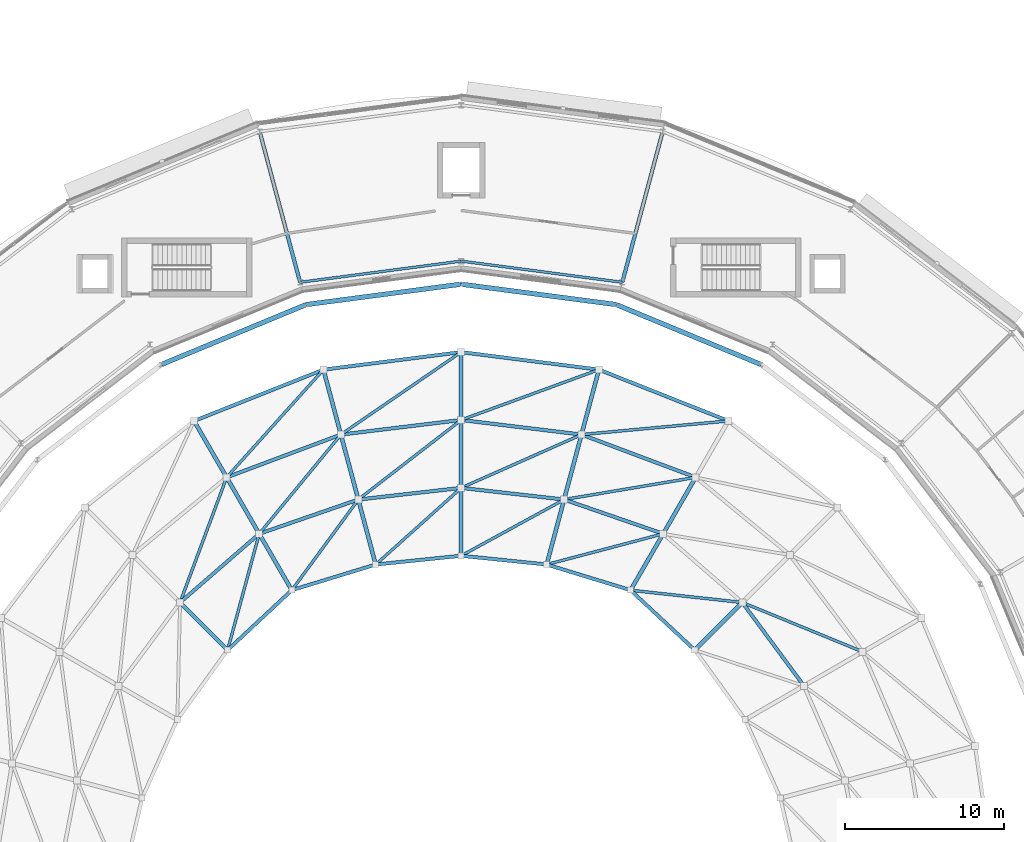
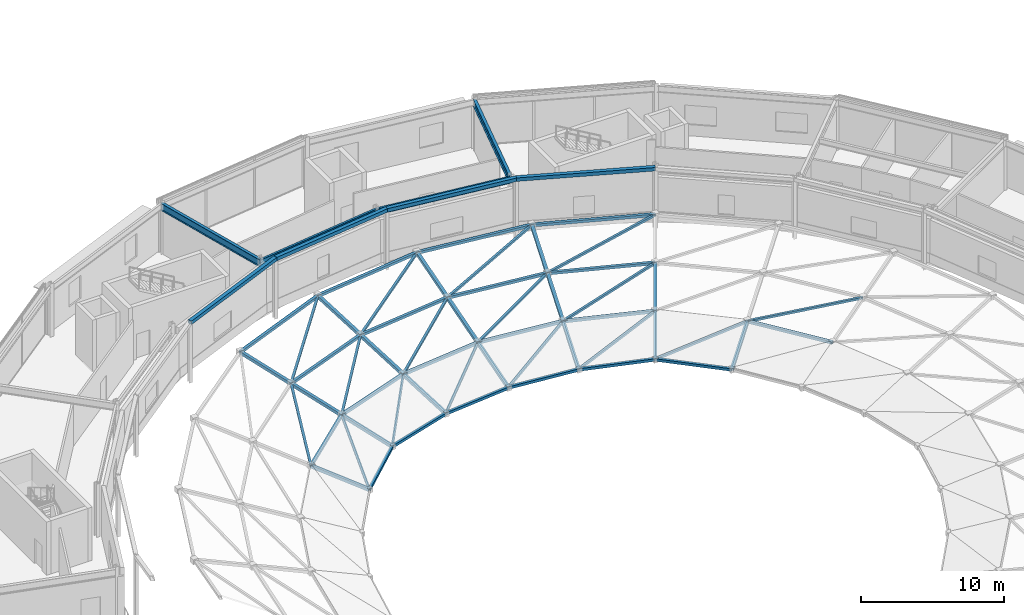
# One storey, part 38 of 89: 52 members, 8 beams.
"""IFC4 building model written with IfcOpenShell, lengths in metres."""

from ifc_helpers import new_model, si_unit, direction, frame, origin, origin_2d, place, context, subcontext, project, spatial, hollow_rectangle, i_section, extrude, material, material_profile, profile_set, type_object, element, save


model = new_model("IFC4")

# Units and contexts
model_context = context("Model", 3, precision=1e-05, world=origin(), true_north=direction((0.0, 1.0)))
body_context = subcontext(model_context, "Body", "Model", "MODEL_VIEW")
ifc_project = project(units=[si_unit("LENGTHUNIT", "METRE"), si_unit("AREAUNIT", "SQUARE_METRE"), si_unit("VOLUMEUNIT", "CUBIC_METRE"), si_unit("PLANEANGLEUNIT", "RADIAN"), si_unit("MASSUNIT", "GRAM", prefix="KILO")], contexts=[model_context])

# Site, building, storey
site_placement = place(None, origin())
site = spatial("IfcSite", under=ifc_project, at=site_placement, CompositionType="ELEMENT")
building_placement = place(site_placement, origin())
building = spatial("IfcBuilding", under=site, at=building_placement, Name="Almandine Court Research Institute", CompositionType="ELEMENT")
storey_placement = place(building_placement, frame((0.0, 0.0, 18.89990234375)))
storey = spatial("IfcBuildingStorey", under=building, at=storey_placement, Name="L04", CompositionType="ELEMENT", Elevation=18.89990234375)

# Beams
ifc_material_1 = material(Name="Steel ASTM A992 Grade 50", Category="steel")
ifc_material_profile_1 = material_profile(ifc_material_1, i_section(OverallWidth=0.22998046875, OverallDepth=0.616943359375, WebThickness=0.012939453125, FlangeThickness=0.02197265625, at=origin_2d()), Name="W610x140")
ifc_profile_set_1 = profile_set([ifc_material_profile_1], Name="Steel ASTM A992 Grade 50")
beam_type_1 = type_object("IfcBeamType", Name="Beam-G-02", PredefinedType="BEAM", material=ifc_profile_set_1)
for number, where, z_axis, x_axis, name in (
    (1, (97.1201171875, 93.76806640625, 4.0), (0.258774274024, 0.965937821551, 0.0), (-0.965937821551, 0.258774274024, 0.0), "L04 Drum Radial Girder 05"),
    (2, (76.8798828125, 93.76806640625, 4.0), (-0.258774274024, 0.965937821551, 0.0), (-0.965937821551, -0.258774274024, 0.0), "L04 Drum Radial Girder 07"),
):
    element("IfcBeam", number, at=place(storey_placement, frame(where, z_axis=z_axis, x_axis=x_axis)), inside=storey, type_object=beam_type_1, Name=name, PredefinedType="BEAM", context=body_context, shape_type="SweptSolid", body=[
        extrude(i_section(OverallWidth=0.22998046875, OverallDepth=0.616943359375, WebThickness=0.012939453125, FlangeThickness=0.02197265625, at=origin_2d()), origin(), (0.0, 0.0, 1.0), 9.799560546875),
    ])
ifc_material_profile_2 = material_profile(ifc_material_1, i_section(OverallWidth=0.166015625, OverallDepth=0.534912109375, WebThickness=0.010009765625, FlangeThickness=0.01708984375, at=origin_2d()), Name="W530x85")
ifc_profile_set_2 = profile_set([ifc_material_profile_2], Name="Steel ASTM A992 Grade 50")
beam_type_2 = type_object("IfcBeamType", Name="Beam-G-05-E", PredefinedType="SPANDREL", material=ifc_profile_set_2)
for number, where, z_axis, x_axis, name in (
    (3, (97.1201171875, 93.76806640625, 4.041015625), (-0.991448758831, 0.130496584681, 0.0), (-0.130496584681, -0.991448758831, 0.0), "L04 Drum IN Ring Beam 05"),
    (4, (87.0, 95.10009765625, 4.041015625), (-0.991448758831, -0.130496584681, 0.0), (0.130496584681, -0.991448758831, 0.0), "L04 Drum IN Ring Beam 06"),
):
    element("IfcBeam", number, at=place(storey_placement, frame(where, z_axis=z_axis, x_axis=x_axis)), inside=storey, type_object=beam_type_2, Name=name, PredefinedType="SPANDREL", context=body_context, shape_type="SweptSolid", body=[
        extrude(i_section(OverallWidth=0.166015625, OverallDepth=0.534912109375, WebThickness=0.010009765625, FlangeThickness=0.01708984375, at=origin_2d()), origin(), (0.0, 0.0, 1.0), 10.20751953125),
    ])
ifc_material_2 = material(Name="Steel ASTM A500 Grade C", Category="steel")
ifc_material_profile_3 = material_profile(ifc_material_2, hollow_rectangle(XDim=0.300048828125, YDim=0.300048828125, WallThickness=0.011962890625, at=origin_2d()), Name="HSS 300x300x12")
ifc_profile_set_3 = profile_set([ifc_material_profile_3], Name="Steel ASTM A500 Grade C")
beam_type_3 = type_object("IfcBeamType", Name="Beam-RB-01-E", PredefinedType="BEAM", material=ifc_profile_set_3)
beam_1_placement = place(storey_placement, frame((105.824951171875, 88.60595703125, 5.10009765625), z_axis=(-0.92387967829, 0.382683080424, 0.0), x_axis=(-0.382683080424, -0.92387967829, 0.0)))
element("IfcBeam", 5, at=beam_1_placement, inside=storey, type_object=beam_type_3, Name="Gridshell Outer Ring Beam ORB-05", PredefinedType="BEAM", context=body_context, shape_type="SweptSolid", body=[
    extrude(hollow_rectangle(XDim=0.300048828125, YDim=0.300048828125, WallThickness=0.011962890625, at=origin_2d()), origin(), (0.0, 0.0, 1.0), 9.827880859375),
])
for number, where, z_axis, x_axis, name in (
    (6, (96.7451171875, 92.366943359375, 5.10009765625), (-0.991444993461, 0.130525188913, 0.0), (-0.130525188913, -0.991444993461, 0.0), "Gridshell Outer Ring Beam ORB-06"),
    (7, (87.0, 93.64990234375, 5.10009765625), (-0.991444993461, -0.130525188913, 0.0), (0.130525188913, -0.991444993461, 0.0), "Gridshell Outer Ring Beam ORB-07"),
):
    element("IfcBeam", number, at=place(storey_placement, frame(where, z_axis=z_axis, x_axis=x_axis)), inside=storey, type_object=beam_type_3, Name=name, PredefinedType="BEAM", context=body_context, shape_type="SweptSolid", body=[
        extrude(hollow_rectangle(XDim=0.300048828125, YDim=0.300048828125, WallThickness=0.011962890625, at=origin_2d()), origin(), (0.0, 0.0, 1.0), 9.8291015625),
    ])
beam_2_placement = place(storey_placement, frame((77.2548828125, 92.366943359375, 5.10009765625), z_axis=(-0.92387967829, -0.382683080424, 0.0), x_axis=(0.382683080424, -0.92387967829, 0.0)))
element("IfcBeam", 8, at=beam_2_placement, inside=storey, type_object=beam_type_3, Name="Gridshell Outer Ring Beam ORB-08", PredefinedType="BEAM", context=body_context, shape_type="SweptSolid", body=[
    extrude(hollow_rectangle(XDim=0.300048828125, YDim=0.300048828125, WallThickness=0.011962890625, at=origin_2d()), origin(), (0.0, 0.0, 1.0), 9.827880859375),
])

# Members
ifc_material_profile_4 = material_profile(ifc_material_2, hollow_rectangle(XDim=0.25, YDim=0.25, WallThickness=0.010009765625, at=origin_2d()), Name="HSS 250x250x10")
ifc_profile_set_4 = profile_set([ifc_material_profile_4], Name="Steel ASTM A500 Grade C")
member_type_1 = type_object("IfcMemberType", Name="Mem-GS-AR1", PredefinedType="RAFTER", material=ifc_profile_set_4)
member_1_placement = place(storey_placement, frame((95.65087890625, 88.284912109375, 3.9931640625), z_axis=(-0.248122573964, -0.925822235368, -0.285111165665), x_axis=(0.965912978478, -0.258866989029, 0.0)))
element("IfcMember", 9, at=member_1_placement, inside=storey, type_object=member_type_1, Name="Atrium Conical Gridshell Radial Rib R1-S05", PredefinedType="RAFTER", context=body_context, shape_type="SweptSolid", body=[
    extrude(hollow_rectangle(XDim=0.25, YDim=0.25, WallThickness=0.010009765625, at=origin_2d()), origin(), (0.0, 0.0, 1.0), 4.4091796875),
])
member_2_placement = place(storey_placement, frame((87.0, 89.385009765625, 3.9931640625), z_axis=(0.0, -0.959200962269, -0.282725156261), x_axis=(1.0, 0.0, 0.0)))
element("IfcMember", 10, at=member_2_placement, inside=storey, type_object=member_type_1, Name="Atrium Conical Gridshell Radial Rib R1-S06", PredefinedType="RAFTER", context=body_context, shape_type="SweptSolid", body=[
    extrude(hollow_rectangle(XDim=0.25, YDim=0.25, WallThickness=0.010009765625, at=origin_2d()), origin(), (0.0, 0.0, 1.0), 4.4462890625),
])
member_3_placement = place(storey_placement, frame((78.34912109375, 88.284912109375, 3.9931640625), z_axis=(0.248122573964, -0.925822235368, -0.285111165665), x_axis=(0.965912978478, 0.258866989029, 0.0)))
element("IfcMember", 11, at=member_3_placement, inside=storey, type_object=member_type_1, Name="Atrium Conical Gridshell Radial Rib R1-S07", PredefinedType="RAFTER", context=body_context, shape_type="SweptSolid", body=[
    extrude(hollow_rectangle(XDim=0.25, YDim=0.25, WallThickness=0.010009765625, at=origin_2d()), origin(), (0.0, 0.0, 1.0), 4.4091796875),
])
member_4_placement = place(storey_placement, frame((70.220947265625, 85.06103515625, 3.9931640625), z_axis=(0.478141034543, -0.827751372383, -0.293613379471), x_axis=(0.865917322531, 0.500187155513, 0.0)))
element("IfcMember", 12, at=member_4_placement, inside=storey, type_object=member_type_1, Name="Atrium Conical Gridshell Radial Rib R1-S08", PredefinedType="RAFTER", context=body_context, shape_type="SweptSolid", body=[
    extrude(hollow_rectangle(XDim=0.25, YDim=0.25, WallThickness=0.010009765625, at=origin_2d()), origin(), (0.0, 0.0, 1.0), 4.281494140625),
])
member_5_placement = place(storey_placement, frame((101.73193359375, 81.51708984375, 2.736083984375), z_axis=(-0.477808253345, -0.827953895802, -0.293584092658), x_axis=(0.86612103393, -0.499834327136, 0.0)))
element("IfcMember", 13, at=member_5_placement, inside=storey, type_object=member_type_1, Name="Atrium Conical Gridshell Radial Rib R2-S04", PredefinedType="RAFTER", context=body_context, shape_type="SweptSolid", body=[
    extrude(hollow_rectangle(XDim=0.25, YDim=0.25, WallThickness=0.010009765625, at=origin_2d()), origin(), (0.0, 0.0, 1.0), 4.28173828125),
])
member_6_placement = place(storey_placement, frame((94.556884765625, 84.202880859375, 2.736083984375), z_axis=(-0.248186188634, -0.925782669721, -0.285184263619), x_axis=(0.965893613952, -0.258939233271, 0.0)))
element("IfcMember", 14, at=member_6_placement, inside=storey, type_object=member_type_1, Name="Atrium Conical Gridshell Radial Rib R2-S05", PredefinedType="RAFTER", context=body_context, shape_type="SweptSolid", body=[
    extrude(hollow_rectangle(XDim=0.25, YDim=0.25, WallThickness=0.010009765625, at=origin_2d()), origin(), (0.0, 0.0, 1.0), 4.407958984375),
])
member_7_placement = place(storey_placement, frame((87.0, 85.1201171875, 2.736083984375), z_axis=(0.0, -0.959205350971, -0.282710266294), x_axis=(1.0, 0.0, 0.0)))
element("IfcMember", 15, at=member_7_placement, inside=storey, type_object=member_type_1, Name="Atrium Conical Gridshell Radial Rib R2-S06", PredefinedType="RAFTER", context=body_context, shape_type="SweptSolid", body=[
    extrude(hollow_rectangle(XDim=0.25, YDim=0.25, WallThickness=0.010009765625, at=origin_2d()), origin(), (0.0, 0.0, 1.0), 4.446533203125),
])
member_8_placement = place(storey_placement, frame((79.443115234375, 84.202880859375, 2.736083984375), z_axis=(0.248186188634, -0.925782669721, -0.285184263619), x_axis=(0.965893613952, 0.258939233271, 0.0)))
element("IfcMember", 16, at=member_8_placement, inside=storey, type_object=member_type_1, Name="Atrium Conical Gridshell Radial Rib R2-S07", PredefinedType="RAFTER", context=body_context, shape_type="SweptSolid", body=[
    extrude(hollow_rectangle(XDim=0.25, YDim=0.25, WallThickness=0.010009765625, at=origin_2d()), origin(), (0.0, 0.0, 1.0), 4.407958984375),
])
member_9_placement = place(storey_placement, frame((72.26806640625, 81.51708984375, 2.736083984375), z_axis=(0.477808253345, -0.827953895802, -0.293584092658), x_axis=(0.86612103393, 0.499834327136, 0.0)))
element("IfcMember", 17, at=member_9_placement, inside=storey, type_object=member_type_1, Name="Atrium Conical Gridshell Radial Rib R2-S08", PredefinedType="RAFTER", context=body_context, shape_type="SweptSolid", body=[
    extrude(hollow_rectangle(XDim=0.25, YDim=0.25, WallThickness=0.010009765625, at=origin_2d()), origin(), (0.0, 0.0, 1.0), 4.28173828125),
])
member_10_placement = place(storey_placement, frame((104.657958984375, 73.657958984375, 1.47900390625), z_axis=(-0.677721081181, -0.677721081181, -0.285286298737), x_axis=(0.707106781187, -0.707106781187, 0.0)))
element("IfcMember", 18, at=member_10_placement, inside=storey, type_object=member_type_1, Name="Atrium Conical Gridshell Radial Rib R3-S03", PredefinedType="RAFTER", context=body_context, shape_type="SweptSolid", body=[
    extrude(hollow_rectangle(XDim=0.25, YDim=0.25, WallThickness=0.010009765625, at=origin_2d()), origin(), (0.0, 0.0, 1.0), 4.408935546875),
])
member_11_placement = place(storey_placement, frame((99.68603515625, 77.971923828125, 1.47900390625), z_axis=(-0.478117013059, -0.827709786711, -0.293769690075), x_axis=(0.865917322531, -0.500187155513, 0.0)))
element("IfcMember", 19, at=member_11_placement, inside=storey, type_object=member_type_1, Name="Atrium Conical Gridshell Radial Rib R3-S04", PredefinedType="RAFTER", context=body_context, shape_type="SweptSolid", body=[
    extrude(hollow_rectangle(XDim=0.25, YDim=0.25, WallThickness=0.010009765625, at=origin_2d()), origin(), (0.0, 0.0, 1.0), 4.28173828125),
])
member_12_placement = place(storey_placement, frame((93.462890625, 80.1220703125, 1.47900390625), z_axis=(-0.247850987975, -0.925841938996, -0.285283353451), x_axis=(0.965985171085, -0.258597465656, 0.0)))
element("IfcMember", 20, at=member_12_placement, inside=storey, type_object=member_type_1, Name="Atrium Conical Gridshell Radial Rib R3-S05", PredefinedType="RAFTER", context=body_context, shape_type="SweptSolid", body=[
    extrude(hollow_rectangle(XDim=0.25, YDim=0.25, WallThickness=0.010009765625, at=origin_2d()), origin(), (0.0, 0.0, 1.0), 4.408935546875),
])
member_13_placement = place(storey_placement, frame((87.0, 80.85498046875, 1.47900390625), z_axis=(0.0, -0.959156280225, -0.282876704775), x_axis=(1.0, 0.0, 0.0)))
element("IfcMember", 21, at=member_13_placement, inside=storey, type_object=member_type_1, Name="Atrium Conical Gridshell Radial Rib R3-S06", PredefinedType="RAFTER", context=body_context, shape_type="SweptSolid", body=[
    extrude(hollow_rectangle(XDim=0.25, YDim=0.25, WallThickness=0.010009765625, at=origin_2d()), origin(), (0.0, 0.0, 1.0), 4.446533203125),
])
member_14_placement = place(storey_placement, frame((80.537109375, 80.1220703125, 1.47900390625), z_axis=(0.247850987975, -0.925841938996, -0.285283353451), x_axis=(0.965985171085, 0.258597465656, 0.0)))
element("IfcMember", 22, at=member_14_placement, inside=storey, type_object=member_type_1, Name="Atrium Conical Gridshell Radial Rib R3-S07", PredefinedType="RAFTER", context=body_context, shape_type="SweptSolid", body=[
    extrude(hollow_rectangle(XDim=0.25, YDim=0.25, WallThickness=0.010009765625, at=origin_2d()), origin(), (0.0, 0.0, 1.0), 4.408935546875),
])
member_15_placement = place(storey_placement, frame((74.31396484375, 77.971923828125, 1.47900390625), z_axis=(0.478117013059, -0.827709786711, -0.293769690075), x_axis=(0.865917322531, 0.500187155513, 0.0)))
element("IfcMember", 23, at=member_15_placement, inside=storey, type_object=member_type_1, Name="Atrium Conical Gridshell Radial Rib R3-S08", PredefinedType="RAFTER", context=body_context, shape_type="SweptSolid", body=[
    extrude(hollow_rectangle(XDim=0.25, YDim=0.25, WallThickness=0.010009765625, at=origin_2d()), origin(), (0.0, 0.0, 1.0), 4.28173828125),
])
member_16_placement = place(storey_placement, frame((69.342041015625, 73.657958984375, 1.47900390625), z_axis=(0.677721081181, -0.677721081181, -0.285286298737), x_axis=(0.707106781187, 0.707106781187, 0.0)))
element("IfcMember", 24, at=member_16_placement, inside=storey, type_object=member_type_1, Name="Atrium Conical Gridshell Radial Rib R3-S09", PredefinedType="RAFTER", context=body_context, shape_type="SweptSolid", body=[
    extrude(hollow_rectangle(XDim=0.25, YDim=0.25, WallThickness=0.010009765625, at=origin_2d()), origin(), (0.0, 0.0, 1.0), 4.408935546875),
])
ifc_material_profile_5 = material_profile(ifc_material_2, hollow_rectangle(XDim=0.179931640625, YDim=0.179931640625, WallThickness=0.008056640625, at=origin_2d()), Name="HSS 180x180x8")
ifc_profile_set_5 = profile_set([ifc_material_profile_5], Name="Steel ASTM A500 Grade C")
member_type_2 = type_object("IfcMemberType", Name="Mem-GS-BR1", PredefinedType="BRACE", material=ifc_profile_set_5)
member_17_placement = place(storey_placement, frame((103.779052734375, 85.06103515625, 3.9931640625), z_axis=(-0.986652306257, -0.091811374398, -0.13449125655), x_axis=(0.092653148604, -0.995698445341, 0.0)))
element("IfcMember", 25, at=member_17_placement, inside=storey, type_object=member_type_2, Name="Atrium Conical Gridshell Diagonal Brace R1-S04", PredefinedType="BRACE", context=body_context, shape_type="SweptSolid", body=[
    extrude(hollow_rectangle(XDim=0.179931640625, YDim=0.179931640625, WallThickness=0.008056640625, at=origin_2d()), origin(), (0.0, 0.0, 1.0), 9.346923828125),
])
member_18_placement = place(storey_placement, frame((95.65087890625, 88.284912109375, 3.9931640625), z_axis=(-0.930503949318, -0.340410980838, -0.135213773072), x_axis=(0.343566137995, -0.939128483661, 0.0)))
element("IfcMember", 26, at=member_18_placement, inside=storey, type_object=member_type_2, Name="Atrium Conical Gridshell Diagonal Brace R1-S05", PredefinedType="BRACE", context=body_context, shape_type="SweptSolid", body=[
    extrude(hollow_rectangle(XDim=0.179931640625, YDim=0.179931640625, WallThickness=0.008056640625, at=origin_2d()), origin(), (0.0, 0.0, 1.0), 9.296875),
])
member_19_placement = place(storey_placement, frame((87.0, 89.385009765625, 3.9931640625), z_axis=(-0.817062137148, -0.560299839211, -0.135917453694), x_axis=(0.565548031502, -0.824715359421, 0.0)))
element("IfcMember", 27, at=member_19_placement, inside=storey, type_object=member_type_2, Name="Atrium Conical Gridshell Diagonal Brace R1-S06", PredefinedType="BRACE", context=body_context, shape_type="SweptSolid", body=[
    extrude(hollow_rectangle(XDim=0.179931640625, YDim=0.179931640625, WallThickness=0.008056640625, at=origin_2d()), origin(), (0.0, 0.0, 1.0), 9.248779296875),
])
member_20_placement = place(storey_placement, frame((78.34912109375, 88.284912109375, 3.9931640625), z_axis=(-0.662068876905, -0.736840024758, -0.136863363063), x_axis=(0.743839603579, -0.668358170555, 0.0)))
element("IfcMember", 28, at=member_20_placement, inside=storey, type_object=member_type_2, Name="Atrium Conical Gridshell Diagonal Brace R1-S07", PredefinedType="BRACE", context=body_context, shape_type="SweptSolid", body=[
    extrude(hollow_rectangle(XDim=0.179931640625, YDim=0.179931640625, WallThickness=0.008056640625, at=origin_2d()), origin(), (0.0, 0.0, 1.0), 9.184814453125),
])
member_21_placement = place(storey_placement, frame((112.218017578125, 70.56005859375, 2.736083984375), z_axis=(-0.914563732767, 0.374762617228, -0.152072875412), x_axis=(-0.379172667023, -0.925325936404, 0.0)))
element("IfcMember", 29, at=member_21_placement, inside=storey, type_object=member_type_2, Name="Atrium Conical Gridshell Diagonal Brace R2-S02", PredefinedType="BRACE", context=body_context, shape_type="SweptSolid", body=[
    extrude(hollow_rectangle(XDim=0.179931640625, YDim=0.179931640625, WallThickness=0.008056640625, at=origin_2d()), origin(), (0.0, 0.0, 1.0), 8.266357421875),
])
member_22_placement = place(storey_placement, frame((101.73193359375, 81.51708984375, 2.736083984375), z_axis=(-0.975170446211, -0.164515025971, -0.148247789417), x_axis=(0.166353187444, -0.98606623359, 0.0)))
element("IfcMember", 30, at=member_22_placement, inside=storey, type_object=member_type_2, Name="Atrium Conical Gridshell Diagonal Brace R2-S04", PredefinedType="BRACE", context=body_context, shape_type="SweptSolid", body=[
    extrude(hollow_rectangle(XDim=0.179931640625, YDim=0.179931640625, WallThickness=0.008056640625, at=origin_2d()), origin(), (0.0, 0.0, 1.0), 8.4794921875),
])
member_23_placement = place(storey_placement, frame((94.556884765625, 84.202880859375, 2.736083984375), z_axis=(-0.903897406332, -0.400450526057, -0.150362412212), x_axis=(0.405055625831, -0.914292043049, 0.0)))
element("IfcMember", 31, at=member_23_placement, inside=storey, type_object=member_type_2, Name="Atrium Conical Gridshell Diagonal Brace R2-S05", PredefinedType="BRACE", context=body_context, shape_type="SweptSolid", body=[
    extrude(hollow_rectangle(XDim=0.179931640625, YDim=0.179931640625, WallThickness=0.008056640625, at=origin_2d()), origin(), (0.0, 0.0, 1.0), 8.3603515625),
])
member_24_placement = place(storey_placement, frame((87.0, 85.1201171875, 2.736083984375), z_axis=(-0.781847620468, -0.60463827766, -0.152075151019), x_axis=(0.611753624834, -0.791048356614, 0.0)))
element("IfcMember", 32, at=member_24_placement, inside=storey, type_object=member_type_2, Name="Atrium Conical Gridshell Diagonal Brace R2-S06", PredefinedType="BRACE", context=body_context, shape_type="SweptSolid", body=[
    extrude(hollow_rectangle(XDim=0.179931640625, YDim=0.179931640625, WallThickness=0.008056640625, at=origin_2d()), origin(), (0.0, 0.0, 1.0), 8.26611328125),
])
member_25_placement = place(storey_placement, frame((79.443115234375, 84.202880859375, 2.736083984375), z_axis=(-0.627970659521, -0.762866731987, -0.153906465128), x_axis=(0.772065567876, -0.635542885178, 0.0)))
element("IfcMember", 33, at=member_25_placement, inside=storey, type_object=member_type_2, Name="Atrium Conical Gridshell Diagonal Brace R2-S07", PredefinedType="BRACE", context=body_context, shape_type="SweptSolid", body=[
    extrude(hollow_rectangle(XDim=0.179931640625, YDim=0.179931640625, WallThickness=0.008056640625, at=origin_2d()), origin(), (0.0, 0.0, 1.0), 8.167724609375),
])
member_26_placement = place(storey_placement, frame((72.26806640625, 81.51708984375, 2.736083984375), z_axis=(-0.345056371344, -0.926800972043, -0.148243242057), x_axis=(0.937155671014, -0.348911519279, 0.0)))
element("IfcMember", 34, at=member_26_placement, inside=storey, type_object=member_type_2, Name="Atrium Conical Gridshell Diagonal Brace R2-S08", PredefinedType="BRACE", context=body_context, shape_type="SweptSolid", body=[
    extrude(hollow_rectangle(XDim=0.179931640625, YDim=0.179931640625, WallThickness=0.008056640625, at=origin_2d()), origin(), (0.0, 0.0, 1.0), 8.479736328125),
])
member_27_placement = place(storey_placement, frame((104.657958984375, 73.657958984375, 1.47900390625), z_axis=(-0.978631149869, 0.107360092059, -0.175370702056), x_axis=(-0.109050099051, -0.99403625482, 0.0)))
element("IfcMember", 35, at=member_27_placement, inside=storey, type_object=member_type_2, Name="Atrium Conical Gridshell Diagonal Brace R3-S03", PredefinedType="BRACE", context=body_context, shape_type="SweptSolid", body=[
    extrude(hollow_rectangle(XDim=0.179931640625, YDim=0.179931640625, WallThickness=0.008056640625, at=origin_2d()), origin(), (0.0, 0.0, 1.0), 7.17236328125),
])
member_28_placement = place(storey_placement, frame((99.68603515625, 77.971923828125, 1.47900390625), z_axis=(-0.95377039361, -0.251858276868, -0.163980012944), x_axis=(0.255314297639, -0.966858112352, 0.0)))
element("IfcMember", 36, at=member_28_placement, inside=storey, type_object=member_type_2, Name="Atrium Conical Gridshell Diagonal Brace R3-S04", PredefinedType="BRACE", context=body_context, shape_type="SweptSolid", body=[
    extrude(hollow_rectangle(XDim=0.179931640625, YDim=0.179931640625, WallThickness=0.008056640625, at=origin_2d()), origin(), (0.0, 0.0, 1.0), 7.67041015625),
])
member_29_placement = place(storey_placement, frame((93.462890625, 80.1220703125, 1.47900390625), z_axis=(-0.864985356707, -0.472716196566, -0.16834408272), x_axis=(0.479560340704, -0.877508905724, 0.0)))
element("IfcMember", 37, at=member_29_placement, inside=storey, type_object=member_type_2, Name="Atrium Conical Gridshell Diagonal Brace R3-S05", PredefinedType="BRACE", context=body_context, shape_type="SweptSolid", body=[
    extrude(hollow_rectangle(XDim=0.179931640625, YDim=0.179931640625, WallThickness=0.008056640625, at=origin_2d()), origin(), (0.0, 0.0, 1.0), 7.4716796875),
])
member_30_placement = place(storey_placement, frame((87.0, 80.85498046875, 1.47900390625), z_axis=(-0.7334753478, -0.657646881675, -0.171797826508), x_axis=(0.667572192775, -0.744545074145, 0.0)))
element("IfcMember", 38, at=member_30_placement, inside=storey, type_object=member_type_2, Name="Atrium Conical Gridshell Diagonal Brace R3-S06", PredefinedType="BRACE", context=body_context, shape_type="SweptSolid", body=[
    extrude(hollow_rectangle(XDim=0.179931640625, YDim=0.179931640625, WallThickness=0.008056640625, at=origin_2d()), origin(), (0.0, 0.0, 1.0), 7.321533203125),
])
member_31_placement = place(storey_placement, frame((80.537109375, 80.1220703125, 1.47900390625), z_axis=(-0.582231807343, -0.793884387178, -0.175367335366), x_axis=(0.806380813024, -0.591396638802, 0.0)))
element("IfcMember", 39, at=member_31_placement, inside=storey, type_object=member_type_2, Name="Atrium Conical Gridshell Diagonal Brace R3-S07", PredefinedType="BRACE", context=body_context, shape_type="SweptSolid", body=[
    extrude(hollow_rectangle(XDim=0.179931640625, YDim=0.179931640625, WallThickness=0.008056640625, at=origin_2d()), origin(), (0.0, 0.0, 1.0), 7.17236328125),
])
member_32_placement = place(storey_placement, frame((74.31396484375, 77.971923828125, 1.47900390625), z_axis=(-0.258637280431, -0.951954518879, -0.163979727883), x_axis=(0.965017273677, -0.262186310672, 0.0)))
element("IfcMember", 40, at=member_32_placement, inside=storey, type_object=member_type_2, Name="Atrium Conical Gridshell Diagonal Brace R3-S08", PredefinedType="BRACE", context=body_context, shape_type="SweptSolid", body=[
    extrude(hollow_rectangle(XDim=0.179931640625, YDim=0.179931640625, WallThickness=0.008056640625, at=origin_2d()), origin(), (0.0, 0.0, 1.0), 7.670654296875),
])
ifc_material_profile_6 = material_profile(ifc_material_2, hollow_rectangle(XDim=0.219970703125, YDim=0.219970703125, WallThickness=0.010009765625, at=origin_2d()), Name="HSS 220x220x10")
ifc_profile_set_6 = profile_set([ifc_material_profile_6], Name="Steel ASTM A500 Grade C")
member_type_3 = type_object("IfcMemberType", Name="Mem-GS-ST1", PredefinedType="COLLAR", material=ifc_profile_set_6)
member_33_placement = place(storey_placement, frame((103.779052734375, 85.06103515625, 3.9931640625), z_axis=(-0.929552993043, 0.368688531317, 0.0), x_axis=(-0.368688531317, -0.929552993043, 0.0)))
element("IfcMember", 41, at=member_33_placement, inside=storey, type_object=member_type_3, Name="Atrium Conical Gridshell Hoop Ring R1-S04", PredefinedType="COLLAR", context=body_context, shape_type="SweptSolid", body=[
    extrude(hollow_rectangle(XDim=0.219970703125, YDim=0.219970703125, WallThickness=0.010009765625, at=origin_2d()), origin(), (0.0, 0.0, 1.0), 8.744140625),
])
for number, where, z_axis, x_axis, name in (
    (42, (95.65087890625, 88.284912109375, 3.9931640625), (-0.992011166569, 0.126150090776, 0.0), (-0.126150090776, -0.992011166569, 0.0), "Atrium Conical Gridshell Hoop Ring R1-S05"),
    (43, (87.0, 89.385009765625, 3.9931640625), (-0.992011166569, -0.126150090776, 0.0), (0.126150090776, -0.992011166569, 0.0), "Atrium Conical Gridshell Hoop Ring R1-S06"),
):
    element("IfcMember", number, at=place(storey_placement, frame(where, z_axis=z_axis, x_axis=x_axis)), inside=storey, type_object=member_type_3, Name=name, PredefinedType="COLLAR", context=body_context, shape_type="SweptSolid", body=[
        extrude(hollow_rectangle(XDim=0.219970703125, YDim=0.219970703125, WallThickness=0.010009765625, at=origin_2d()), origin(), (0.0, 0.0, 1.0), 8.720458984375),
    ])
member_34_placement = place(storey_placement, frame((78.34912109375, 88.284912109375, 3.9931640625), z_axis=(-0.929552993043, -0.368688531317, 0.0), x_axis=(0.368688531317, -0.929552993043, 0.0)))
element("IfcMember", 44, at=member_34_placement, inside=storey, type_object=member_type_3, Name="Atrium Conical Gridshell Hoop Ring R1-S07", PredefinedType="COLLAR", context=body_context, shape_type="SweptSolid", body=[
    extrude(hollow_rectangle(XDim=0.219970703125, YDim=0.219970703125, WallThickness=0.010009765625, at=origin_2d()), origin(), (0.0, 0.0, 1.0), 8.744140625),
])
member_35_placement = place(storey_placement, frame((101.73193359375, 81.51708984375, 2.736083984375), z_axis=(-0.936537239309, 0.350568109484, 0.0), x_axis=(-0.350568109484, -0.936537239309, 0.0)))
element("IfcMember", 45, at=member_35_placement, inside=storey, type_object=member_type_3, Name="Atrium Conical Gridshell Hoop Ring R2-S04", PredefinedType="COLLAR", context=body_context, shape_type="SweptSolid", body=[
    extrude(hollow_rectangle(XDim=0.219970703125, YDim=0.219970703125, WallThickness=0.010009765625, at=origin_2d()), origin(), (0.0, 0.0, 1.0), 7.6611328125),
])
for number, where, z_axis, x_axis, name in (
    (46, (94.556884765625, 84.202880859375, 2.736083984375), (-0.992714148527, 0.120493233483, 0.0), (-0.120493233483, -0.992714148527, 0.0), "Atrium Conical Gridshell Hoop Ring R2-S05"),
    (47, (87.0, 85.1201171875, 2.736083984375), (-0.992714148527, -0.120493233483, 0.0), (0.120493233483, -0.992714148527, 0.0), "Atrium Conical Gridshell Hoop Ring R2-S06"),
):
    element("IfcMember", number, at=place(storey_placement, frame(where, z_axis=z_axis, x_axis=x_axis)), inside=storey, type_object=member_type_3, Name=name, PredefinedType="COLLAR", context=body_context, shape_type="SweptSolid", body=[
        extrude(hollow_rectangle(XDim=0.219970703125, YDim=0.219970703125, WallThickness=0.010009765625, at=origin_2d()), origin(), (0.0, 0.0, 1.0), 7.6123046875),
    ])
member_36_placement = place(storey_placement, frame((79.443115234375, 84.202880859375, 2.736083984375), z_axis=(-0.936537239309, -0.350568109484, 0.0), x_axis=(0.350568109484, -0.936537239309, 0.0)))
element("IfcMember", 48, at=member_36_placement, inside=storey, type_object=member_type_3, Name="Atrium Conical Gridshell Hoop Ring R2-S07", PredefinedType="COLLAR", context=body_context, shape_type="SweptSolid", body=[
    extrude(hollow_rectangle(XDim=0.219970703125, YDim=0.219970703125, WallThickness=0.010009765625, at=origin_2d()), origin(), (0.0, 0.0, 1.0), 7.6611328125),
])
member_37_placement = place(storey_placement, frame((108.52490234375, 68.427001953125, 1.47900390625), z_axis=(-0.594449099099, 0.804133240564, 0.0), x_axis=(-0.804133240564, -0.594449099099, 0.0)))
element("IfcMember", 49, at=member_37_placement, inside=storey, type_object=member_type_3, Name="Atrium Conical Gridshell Hoop Ring R3-S02", PredefinedType="COLLAR", context=body_context, shape_type="SweptSolid", body=[
    extrude(hollow_rectangle(XDim=0.219970703125, YDim=0.219970703125, WallThickness=0.010009765625, at=origin_2d()), origin(), (0.0, 0.0, 1.0), 6.505126953125),
])
member_38_placement = place(storey_placement, frame((99.68603515625, 77.971923828125, 1.47900390625), z_axis=(-0.945174599161, 0.326565425453, 0.0), x_axis=(-0.326565425453, -0.945174599161, 0.0)))
element("IfcMember", 50, at=member_38_placement, inside=storey, type_object=member_type_3, Name="Atrium Conical Gridshell Hoop Ring R3-S04", PredefinedType="COLLAR", context=body_context, shape_type="SweptSolid", body=[
    extrude(hollow_rectangle(XDim=0.219970703125, YDim=0.219970703125, WallThickness=0.010009765625, at=origin_2d()), origin(), (0.0, 0.0, 1.0), 6.584228515625),
])
for number, where, z_axis, x_axis, name in (
    (51, (93.462890625, 80.1220703125, 1.47900390625), (-0.993631259919, 0.11268060752, 0.0), (-0.11268060752, -0.993631259919, 0.0), "Atrium Conical Gridshell Hoop Ring R3-S05"),
    (52, (87.0, 80.85498046875, 1.47900390625), (-0.993631259919, -0.11268060752, 0.0), (0.11268060752, -0.993631259919, 0.0), "Atrium Conical Gridshell Hoop Ring R3-S06"),
):
    element("IfcMember", number, at=place(storey_placement, frame(where, z_axis=z_axis, x_axis=x_axis)), inside=storey, type_object=member_type_3, Name=name, PredefinedType="COLLAR", context=body_context, shape_type="SweptSolid", body=[
        extrude(hollow_rectangle(XDim=0.219970703125, YDim=0.219970703125, WallThickness=0.010009765625, at=origin_2d()), origin(), (0.0, 0.0, 1.0), 6.50439453125),
    ])
member_39_placement = place(storey_placement, frame((80.537109375, 80.1220703125, 1.47900390625), z_axis=(-0.945174599161, -0.326565425453, 0.0), x_axis=(0.326565425453, -0.945174599161, 0.0)))
element("IfcMember", 53, at=member_39_placement, inside=storey, type_object=member_type_3, Name="Atrium Conical Gridshell Hoop Ring R3-S07", PredefinedType="COLLAR", context=body_context, shape_type="SweptSolid", body=[
    extrude(hollow_rectangle(XDim=0.219970703125, YDim=0.219970703125, WallThickness=0.010009765625, at=origin_2d()), origin(), (0.0, 0.0, 1.0), 6.584228515625),
])
member_40_placement = place(storey_placement, frame((74.31396484375, 77.971923828125, 1.47900390625), z_axis=(-0.755315717583, -0.655361096474, 0.0), x_axis=(0.655361096474, -0.755315717583, 0.0)))
element("IfcMember", 54, at=member_40_placement, inside=storey, type_object=member_type_3, Name="Atrium Conical Gridshell Hoop Ring R3-S08", PredefinedType="COLLAR", context=body_context, shape_type="SweptSolid", body=[
    extrude(hollow_rectangle(XDim=0.219970703125, YDim=0.219970703125, WallThickness=0.010009765625, at=origin_2d()), origin(), (0.0, 0.0, 1.0), 6.58251953125),
])
member_41_placement = place(storey_placement, frame((101.669921875, 70.669921875, 0.22119140625), z_axis=(-0.73143670185, 0.681909342352, 0.0), x_axis=(-0.681909342352, -0.73143670185, 0.0)))
element("IfcMember", 55, at=member_41_placement, inside=storey, type_object=member_type_3, Name="Atrium Conical Gridshell Hoop Ring R4-S03", PredefinedType="COLLAR", context=body_context, shape_type="SweptSolid", body=[
    extrude(hollow_rectangle(XDim=0.219970703125, YDim=0.219970703125, WallThickness=0.010009765625, at=origin_2d()), origin(), (0.0, 0.0, 1.0), 5.510986328125),
])
member_42_placement = place(storey_placement, frame((97.638916015625, 74.427978515625, 0.22119140625), z_axis=(-0.956242466302, 0.292575367453, 0.0), x_axis=(-0.292575367453, -0.956242466302, 0.0)))
element("IfcMember", 56, at=member_42_placement, inside=storey, type_object=member_type_3, Name="Atrium Conical Gridshell Hoop Ring R4-S04", PredefinedType="COLLAR", context=body_context, shape_type="SweptSolid", body=[
    extrude(hollow_rectangle(XDim=0.219970703125, YDim=0.219970703125, WallThickness=0.010009765625, at=origin_2d()), origin(), (0.0, 0.0, 1.0), 5.510009765625),
])
for number, where, z_axis, x_axis, name in (
    (57, (92.3701171875, 76.0400390625, 0.22119140625), (-0.994795200438, 0.101894598408, 0.0), (-0.101894598408, -0.994795200438, 0.0), "Atrium Conical Gridshell Hoop Ring R4-S05"),
    (58, (87.0, 76.590087890625, 0.22119140625), (-0.994795200438, -0.101894598408, 0.0), (0.101894598408, -0.994795200438, 0.0), "Atrium Conical Gridshell Hoop Ring R4-S06"),
):
    element("IfcMember", number, at=place(storey_placement, frame(where, z_axis=z_axis, x_axis=x_axis)), inside=storey, type_object=member_type_3, Name=name, PredefinedType="COLLAR", context=body_context, shape_type="SweptSolid", body=[
        extrude(hollow_rectangle(XDim=0.219970703125, YDim=0.219970703125, WallThickness=0.010009765625, at=origin_2d()), origin(), (0.0, 0.0, 1.0), 5.398193359375),
    ])
member_43_placement = place(storey_placement, frame((81.6298828125, 76.0400390625, 0.22119140625), z_axis=(-0.956242466302, -0.292575367453, 0.0), x_axis=(0.292575367453, -0.956242466302, 0.0)))
element("IfcMember", 59, at=member_43_placement, inside=storey, type_object=member_type_3, Name="Atrium Conical Gridshell Hoop Ring R4-S07", PredefinedType="COLLAR", context=body_context, shape_type="SweptSolid", body=[
    extrude(hollow_rectangle(XDim=0.219970703125, YDim=0.219970703125, WallThickness=0.010009765625, at=origin_2d()), origin(), (0.0, 0.0, 1.0), 5.510009765625),
])
member_44_placement = place(storey_placement, frame((76.361083984375, 74.427978515625, 0.22119140625), z_axis=(-0.73143670185, -0.681909342352, 0.0), x_axis=(0.681909342352, -0.73143670185, 0.0)))
element("IfcMember", 60, at=member_44_placement, inside=storey, type_object=member_type_3, Name="Atrium Conical Gridshell Hoop Ring R4-S08", PredefinedType="COLLAR", context=body_context, shape_type="SweptSolid", body=[
    extrude(hollow_rectangle(XDim=0.219970703125, YDim=0.219970703125, WallThickness=0.010009765625, at=origin_2d()), origin(), (0.0, 0.0, 1.0), 5.510986328125),
])

save(model, "model.ifc")
